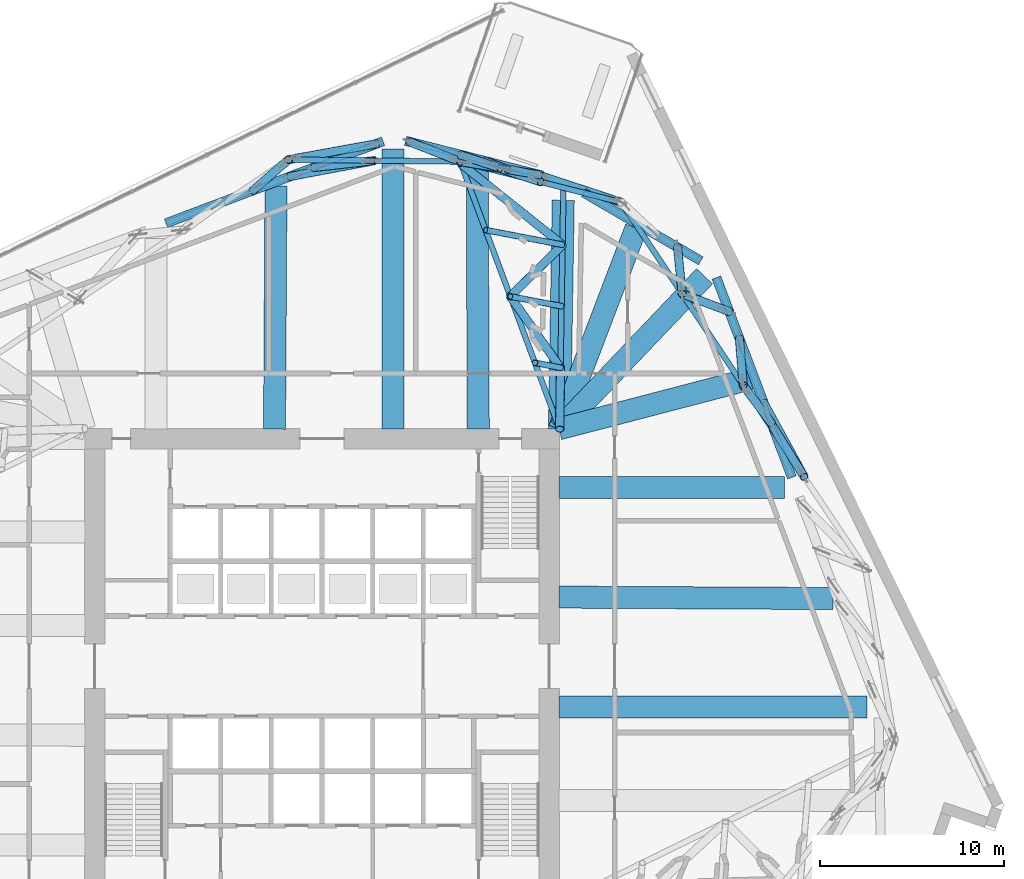
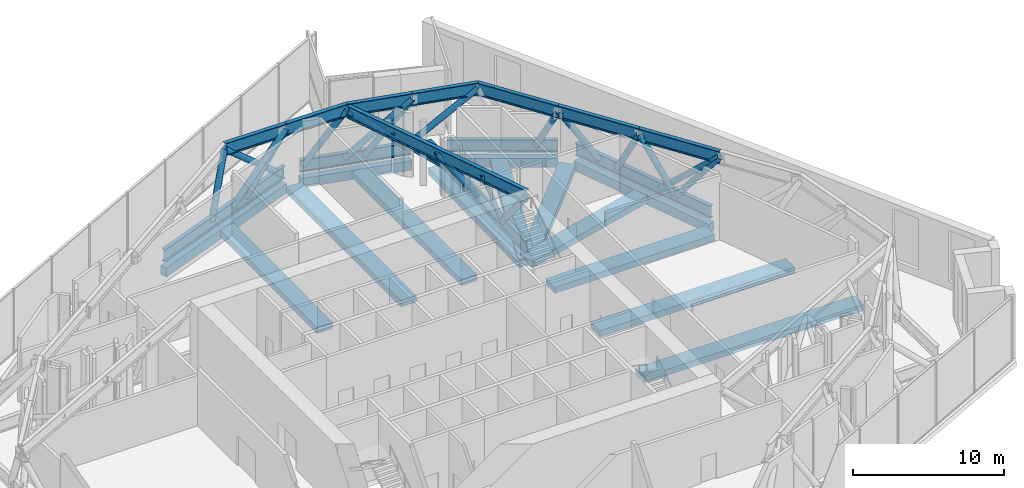
# One storey, part 5 of 21: 27 beams, 24 members.
"""IFC4 building model written with IfcOpenShell, lengths in metres."""

from ifc_helpers import new_model, si_unit, direction, frame, origin, origin_2d, place, context, subcontext, project, spatial, rectangle, hollow_circle, i_section, extrude, material, material_profile, profile_set, type_object, element, save


model = new_model("IFC4")

# Units and contexts
model_context = context("Model", 3, precision=1e-05, world=origin(), true_north=direction((0.0, 1.0)))
body_context = subcontext(model_context, "Body", "Model", "MODEL_VIEW")
ifc_project = project(units=[si_unit("LENGTHUNIT", "METRE"), si_unit("AREAUNIT", "SQUARE_METRE"), si_unit("VOLUMEUNIT", "CUBIC_METRE"), si_unit("PLANEANGLEUNIT", "RADIAN"), si_unit("MASSUNIT", "GRAM", prefix="KILO")], contexts=[model_context])

# Site, building, storey
site_placement = place(None, origin())
site = spatial("IfcSite", under=ifc_project, at=site_placement, CompositionType="ELEMENT")
building_placement = place(site_placement, origin())
building = spatial("IfcBuilding", under=site, at=building_placement, Name="Dilmun Exchange Tower", CompositionType="ELEMENT")
storey_placement = place(building_placement, frame((0.0, 0.0, 130.10009765625)))
storey = spatial("IfcBuildingStorey", under=building, at=storey_placement, Name="L30", CompositionType="ELEMENT", Elevation=130.10009765625)

# Beams
ifc_material_1 = material(Name="Concrete C40/50", Category="concrete")
ifc_material_profile_1 = material_profile(ifc_material_1, rectangle(XDim=1.199951171875, YDim=0.5, at=origin_2d()), Name="1200 x 500")
ifc_profile_set_1 = profile_set([ifc_material_profile_1], Name="Concrete C40/50")
beam_type_1 = type_object("IfcBeamType", Name="RC band beam 1200 x 500 C40/50", PredefinedType="BEAM", material=ifc_profile_set_1)
beam_1_placement = place(storey_placement, frame((13.104736328125, 25.305419921875, -0.77001953125), z_axis=(-0.016493249431, -0.99986397711, 0.0), x_axis=(0.99986397711, -0.016493249431, 0.0)))
element("IfcBeam", 1, at=beam_1_placement, inside=storey, type_object=beam_type_1, Name="Band beam 1", PredefinedType="BEAM", context=body_context, shape_type="SweptSolid", body=[
    extrude(rectangle(XDim=1.199951171875, YDim=0.5, at=origin_2d()), origin(), (0.0, 0.0, 1.0), 12.43408203125),
])
beam_2_placement = place(storey_placement, frame((3.85302734375, 28.099609375, -0.77001953125), z_axis=(0.0, -1.0, 0.0), x_axis=(1.0, 0.0, 0.0)))
element("IfcBeam", 2, at=beam_2_placement, inside=storey, type_object=beam_type_1, Name="Band beam 2", PredefinedType="BEAM", context=body_context, shape_type="SweptSolid", body=[
    extrude(rectangle(XDim=1.199951171875, YDim=0.5, at=origin_2d()), origin(), (0.0, 0.0, 1.0), 15.2265625),
])
beam_3_placement = place(storey_placement, frame((29.61669921875, -2.2099609375, -0.77001953125), z_axis=(-1.0, 0.0, 0.0), x_axis=(0.0, -1.0, 0.0)))
element("IfcBeam", 3, at=beam_3_placement, inside=storey, type_object=beam_type_1, Name="Band beam 14", PredefinedType="BEAM", context=body_context, shape_type="SweptSolid", body=[
    extrude(rectangle(XDim=1.199951171875, YDim=0.5, at=origin_2d()), origin(), (0.0, 0.0, 1.0), 16.74365234375),
])
beam_4_placement = place(storey_placement, frame((25.111572265625, 9.717041015625, -0.77001953125), z_axis=(-1.0, 0.0, 0.0), x_axis=(0.0, -1.0, 0.0)))
element("IfcBeam", 4, at=beam_4_placement, inside=storey, type_object=beam_type_1, Name="Band beam 15", PredefinedType="BEAM", context=body_context, shape_type="SweptSolid", body=[
    extrude(rectangle(XDim=1.199951171875, YDim=0.5, at=origin_2d()), origin(), (0.0, 0.0, 1.0), 12.238525390625),
])
beam_5_placement = place(storey_placement, frame((20.780517578125, 21.181884765625, -0.77001953125), z_axis=(-0.689333244672, -0.724444392476, 0.0), x_axis=(0.724444392476, -0.689333244672, 0.0)))
element("IfcBeam", 5, at=beam_5_placement, inside=storey, type_object=beam_type_1, Name="Band beam 16", PredefinedType="BEAM", context=body_context, shape_type="SweptSolid", body=[
    extrude(rectangle(XDim=1.199951171875, YDim=0.5, at=origin_2d()), origin(), (0.0, 0.0, 1.0), 11.459228515625),
])
beam_6_placement = place(storey_placement, frame((8.4326171875, 27.31787109375, -0.670166015625), z_axis=(0.003802832253, -0.999992769207, 0.0), x_axis=(0.999992769207, 0.003802832253, 0.0)))
element("IfcBeam", 6, at=beam_6_placement, inside=storey, type_object=beam_type_1, Name="Band beam 17", PredefinedType="BEAM", context=body_context, shape_type="SweptSolid", body=[
    extrude(rectangle(XDim=1.199951171875, YDim=0.5, at=origin_2d()), origin(), (0.0, 0.0, 1.0), 14.44482421875),
])
beam_7_placement = place(storey_placement, frame((-2.499755859375, 26.075927734375, -0.670166015625), z_axis=(-0.005972637047, -0.999982163644, 0.0), x_axis=(0.999982163644, -0.005972637047, 0.0)))
element("IfcBeam", 7, at=beam_7_placement, inside=storey, type_object=beam_type_1, Name="Band beam 18", PredefinedType="BEAM", context=body_context, shape_type="SweptSolid", body=[
    extrude(rectangle(XDim=1.199951171875, YDim=0.5, at=origin_2d()), origin(), (0.0, 0.0, 1.0), 13.203125),
])
beam_8_placement = place(storey_placement, frame((27.77001953125, 3.6748046875, -0.670166015625), z_axis=(-0.999986076233, 0.005277057861, 0.0), x_axis=(-0.005277057861, -0.999986076233, 0.0)))
element("IfcBeam", 8, at=beam_8_placement, inside=storey, type_object=beam_type_1, Name="Band beam 30", PredefinedType="BEAM", context=body_context, shape_type="SweptSolid", body=[
    extrude(rectangle(XDim=1.199951171875, YDim=0.5, at=origin_2d()), origin(), (0.0, 0.0, 1.0), 14.897216796875),
])
beam_9_placement = place(storey_placement, frame((23.264892578125, 15.602294921875, -0.670166015625), z_axis=(-0.967651305888, -0.252291399404, 0.0), x_axis=(0.252291399404, -0.967651305888, 0.0)))
element("IfcBeam", 9, at=beam_9_placement, inside=storey, type_object=beam_type_1, Name="Band beam 31", PredefinedType="BEAM", context=body_context, shape_type="SweptSolid", body=[
    extrude(rectangle(XDim=1.199951171875, YDim=0.5, at=origin_2d()), origin(), (0.0, 0.0, 1.0), 10.738525390625),
])
beam_10_placement = place(storey_placement, frame((17.059326171875, 23.806640625, -0.670166015625), z_axis=(-0.356325045493, -0.934362061491, 0.0), x_axis=(0.934362061491, -0.356325045493, 0.0)))
element("IfcBeam", 10, at=beam_10_placement, inside=storey, type_object=beam_type_1, Name="Band beam 32", PredefinedType="BEAM", context=body_context, shape_type="SweptSolid", body=[
    extrude(rectangle(XDim=1.199951171875, YDim=0.5, at=origin_2d()), origin(), (0.0, 0.0, 1.0), 11.699951171875),
])
ifc_material_profile_2 = material_profile(ifc_material_1, rectangle(XDim=0.5, YDim=0.75, at=origin_2d()), Name="500 x 750")
ifc_profile_set_2 = profile_set([ifc_material_profile_2], Name="Concrete C40/50")
beam_type_2 = type_object("IfcBeamType", Name="RC ring beam 500 x 750 C40/50", PredefinedType="SPANDREL", material=ifc_profile_set_2)
beam_11_placement = place(storey_placement, frame((11.965576171875, 26.6484375, -0.795166015625), z_axis=(-0.969078622485, 0.246752149825, 0.0), x_axis=(-0.246752149825, -0.969078622485, 0.0)))
element("IfcBeam", 11, at=beam_11_placement, inside=storey, type_object=beam_type_2, Name="Ring beam 1", PredefinedType="SPANDREL", context=body_context, shape_type="SweptSolid", body=[
    extrude(rectangle(XDim=0.5, YDim=0.75, at=origin_2d()), origin(), (0.0, 0.0, 1.0), 7.666015625),
])
beam_12_placement = place(storey_placement, frame((3.31689453125, 28.511474609375, -0.795166015625), z_axis=(-0.935485896268, -0.353364030264, 0.0), x_axis=(0.353364030264, -0.935485896268, 0.0)))
element("IfcBeam", 12, at=beam_12_placement, inside=storey, type_object=beam_type_2, Name="Ring beam 2", PredefinedType="SPANDREL", context=body_context, shape_type="SweptSolid", body=[
    extrude(rectangle(XDim=0.5, YDim=0.75, at=origin_2d()), origin(), (0.0, 0.0, 1.0), 12.604248046875),
])
beam_13_placement = place(storey_placement, frame((25.5234375, 10.2529296875, -0.795166015625), z_axis=(-0.353303601311, 0.935508720056, 0.0), x_axis=(-0.935508720056, -0.353303601311, 0.0)))
element("IfcBeam", 13, at=beam_13_placement, inside=storey, type_object=beam_type_2, Name="Ring beam 15", PredefinedType="SPANDREL", context=body_context, shape_type="SweptSolid", body=[
    extrude(rectangle(XDim=0.5, YDim=0.75, at=origin_2d()), origin(), (0.0, 0.0, 1.0), 11.604248046875),
])
beam_14_placement = place(storey_placement, frame((20.57568359375, 22.020263671875, -0.795166015625), z_axis=(-0.864503499359, 0.50262679952, 0.0), x_axis=(-0.50262679952, -0.864503499359, 0.0)))
element("IfcBeam", 14, at=beam_14_placement, inside=storey, type_object=beam_type_2, Name="Ring beam 16", PredefinedType="SPANDREL", context=body_context, shape_type="SweptSolid", body=[
    extrude(rectangle(XDim=0.5, YDim=0.75, at=origin_2d()), origin(), (0.0, 0.0, 1.0), 7.35986328125),
])
ifc_material_2 = material(Name="Steel S355", Category="steel")
ifc_material_profile_3 = material_profile(ifc_material_2, i_section(OverallWidth=0.300048828125, OverallDepth=1.0, WebThickness=0.01904296875, FlangeThickness=0.035888671875, FilletRadius=0.030029296875, at=origin_2d()), Name="HEB 1000")
ifc_profile_set_3 = profile_set([ifc_material_profile_3], Name="Steel S355")
beam_type_3 = type_object("IfcBeamType", Name="belt bottom chord HEB 1000", PredefinedType="BEAM", material=ifc_profile_set_3)
beam_15_placement = place(storey_placement, frame((11.965576171875, 26.6484375, 0.5), z_axis=(-0.969078622485, 0.246752149825, 0.0), x_axis=(-0.246752149825, -0.969078622485, 0.0)))
element("IfcBeam", 15, at=beam_15_placement, inside=storey, type_object=beam_type_3, Name="Belt bottom chord 1", PredefinedType="BEAM", context=body_context, shape_type="SweptSolid", body=[
    extrude(i_section(OverallWidth=0.300048828125, OverallDepth=1.0, WebThickness=0.01904296875, FlangeThickness=0.035888671875, FilletRadius=0.030029296875, at=origin_2d()), origin(), (0.0, 0.0, 1.0), 7.666015625),
])
beam_16_placement = place(storey_placement, frame((3.31689453125, 28.511474609375, 0.5), z_axis=(-0.935485896268, -0.353364030264, 0.0), x_axis=(0.353364030264, -0.935485896268, 0.0)))
element("IfcBeam", 16, at=beam_16_placement, inside=storey, type_object=beam_type_3, Name="Belt bottom chord 2", PredefinedType="BEAM", context=body_context, shape_type="SweptSolid", body=[
    extrude(i_section(OverallWidth=0.300048828125, OverallDepth=1.0, WebThickness=0.01904296875, FlangeThickness=0.035888671875, FilletRadius=0.030029296875, at=origin_2d()), origin(), (0.0, 0.0, 1.0), 12.604248046875),
])
beam_17_placement = place(storey_placement, frame((25.5234375, 10.2529296875, 0.5), z_axis=(-0.353303601311, 0.935508720056, 0.0), x_axis=(-0.935508720056, -0.353303601311, 0.0)))
element("IfcBeam", 17, at=beam_17_placement, inside=storey, type_object=beam_type_3, Name="Belt bottom chord 15", PredefinedType="BEAM", context=body_context, shape_type="SweptSolid", body=[
    extrude(i_section(OverallWidth=0.300048828125, OverallDepth=1.0, WebThickness=0.01904296875, FlangeThickness=0.035888671875, FilletRadius=0.030029296875, at=origin_2d()), origin(), (0.0, 0.0, 1.0), 11.604248046875),
])
beam_18_placement = place(storey_placement, frame((20.57568359375, 22.020263671875, 0.5), z_axis=(-0.864503499359, 0.50262679952, 0.0), x_axis=(-0.50262679952, -0.864503499359, 0.0)))
element("IfcBeam", 18, at=beam_18_placement, inside=storey, type_object=beam_type_3, Name="Belt bottom chord 16", PredefinedType="BEAM", context=body_context, shape_type="SweptSolid", body=[
    extrude(i_section(OverallWidth=0.300048828125, OverallDepth=1.0, WebThickness=0.01904296875, FlangeThickness=0.035888671875, FilletRadius=0.030029296875, at=origin_2d()), origin(), (0.0, 0.0, 1.0), 7.35986328125),
])
ifc_material_profile_4 = material_profile(ifc_material_2, i_section(OverallWidth=0.300048828125, OverallDepth=1.0, WebThickness=0.01904296875, FlangeThickness=0.035888671875, FilletRadius=0.030029296875, at=origin_2d()), Name="HEB 1000")
ifc_profile_set_4 = profile_set([ifc_material_profile_4], Name="Steel S355")
beam_type_4 = type_object("IfcBeamType", Name="outrigger chord HEB 1000", PredefinedType="BEAM", material=ifc_profile_set_4)
beam_19_placement = place(storey_placement, frame((12.899658203125, 12.873046875, 0.5), z_axis=(0.016501755393, 0.999863836764, 0.0), x_axis=(-0.999863836764, 0.016501755393, 0.0)))
element("IfcBeam", 19, at=beam_19_placement, inside=storey, type_object=beam_type_4, Name="Outrigger bottom chord 1", PredefinedType="BEAM", context=body_context, shape_type="SweptSolid", body=[
    extrude(i_section(OverallWidth=0.300048828125, OverallDepth=1.0, WebThickness=0.01904296875, FlangeThickness=0.035888671875, FilletRadius=0.030029296875, at=origin_2d()), origin(), (0.0, 0.0, 1.0), 13.359619140625),
])
beam_20_placement = place(storey_placement, frame((12.909423828125, 12.874755859375, 4.599853515625), z_axis=(-0.348443534762, 0.937329772856, 0.0), x_axis=(-0.937329772856, -0.348443534762, 0.0)))
element("IfcBeam", 20, at=beam_20_placement, inside=storey, type_object=beam_type_4, Name="Outrigger top chord 1", PredefinedType="BEAM", context=body_context, shape_type="SweptSolid", body=[
    extrude(i_section(OverallWidth=0.300048828125, OverallDepth=1.0, WebThickness=0.01904296875, FlangeThickness=0.035888671875, FilletRadius=0.030029296875, at=origin_2d()), origin(), (0.0, 0.0, 1.0), 15.383056640625),
])

# Members
ifc_material_profile_5 = material_profile(ifc_material_2, hollow_circle(Radius=0.161865234375, WallThickness=0.01611328125, at=origin_2d()), Name="CHS 323.9x16")
ifc_profile_set_5 = profile_set([ifc_material_profile_5], Name="Steel S355")
member_type_1 = type_object("IfcMemberType", Name="outrigger post CHS 323.9x16", PredefinedType="POST", material=ifc_profile_set_5)
member_1_placement = place(storey_placement, frame((11.5693359375, 16.4794921875, 4.599853515625), z_axis=(0.319492941463, -0.061601212189, -0.945584237925), x_axis=(0.189322347498, 0.981914990586, 0.0)))
element("IfcMember", 21, at=member_1_placement, inside=storey, type_object=member_type_1, Name="Outrigger post 1.1", PredefinedType="POST", context=body_context, shape_type="SweptSolid", body=[
    extrude(hollow_circle(Radius=0.161865234375, WallThickness=0.01611328125, at=origin_2d()), origin(), (0.0, 0.0, 1.0), 4.335693359375),
])
member_2_placement = place(storey_placement, frame((10.229248046875, 20.084228515625, 4.599853515625), z_axis=(0.558078793351, -0.106823405874, -0.82288323617), x_axis=(0.187999701983, 0.982169085267, 0.0)))
element("IfcMember", 22, at=member_2_placement, inside=storey, type_object=member_type_1, Name="Outrigger post 1.2", PredefinedType="POST", context=body_context, shape_type="SweptSolid", body=[
    extrude(hollow_circle(Radius=0.161865234375, WallThickness=0.01611328125, at=origin_2d()), origin(), (0.0, 0.0, 1.0), 4.982421875),
])
member_3_placement = place(storey_placement, frame((8.889404296875, 23.68896484375, 4.599853515625), z_axis=(0.707010713329, -0.1350112255, -0.694195808275), x_axis=(0.187571288128, 0.982250992298, 0.0)))
element("IfcMember", 23, at=member_3_placement, inside=storey, type_object=member_type_1, Name="Outrigger post 1.3", PredefinedType="POST", context=body_context, shape_type="SweptSolid", body=[
    extrude(hollow_circle(Radius=0.161865234375, WallThickness=0.01611328125, at=origin_2d()), origin(), (0.0, 0.0, 1.0), 5.906005859375),
])

# Beams
ifc_material_profile_6 = material_profile(ifc_material_2, i_section(OverallWidth=0.302001953125, OverallDepth=1.008056640625, WebThickness=0.02099609375, FlangeThickness=0.0400390625, FilletRadius=0.030029296875, at=origin_2d()), Name="HEM 1000")
ifc_profile_set_6 = profile_set([ifc_material_profile_6], Name="Steel S355")
beam_type_5 = type_object("IfcBeamType", Name="transfer chord HEM 1000", PredefinedType="BEAM", material=ifc_profile_set_6)
for number, where, z_axis, x_axis, name in (
    (24, (7.506103515625, 27.409912109375, 4.69580078125), (-0.999938960588, 0.011048759986, 0.0), (-0.011048759986, -0.999938960588, 0.0), "Transfer chord 1"),
    (25, (2.843994140625, 27.46142578125, 4.69580078125), (-0.999938960588, 0.011048759986, 0.0), (-0.011048759986, -0.999938960588, 0.0), "Transfer chord 2"),
):
    element("IfcBeam", number, at=place(storey_placement, frame(where, z_axis=z_axis, x_axis=x_axis)), inside=storey, type_object=beam_type_5, Name=name, PredefinedType="BEAM", context=body_context, shape_type="SweptSolid", body=[
        extrude(i_section(OverallWidth=0.302001953125, OverallDepth=1.008056640625, WebThickness=0.02099609375, FlangeThickness=0.0400390625, FilletRadius=0.030029296875, at=origin_2d()), origin(), (0.0, 0.0, 1.0), 4.662353515625),
    ])
beam_21_placement = place(storey_placement, frame((26.195556640625, 10.283447265625, 4.69580078125), z_axis=(-0.55471905467, 0.832037721733, 0.0), x_axis=(-0.832037721733, -0.55471905467, 0.0)))
element("IfcBeam", 26, at=beam_21_placement, inside=storey, type_object=beam_type_5, Name="Transfer chord 28", PredefinedType="BEAM", context=body_context, shape_type="SweptSolid", body=[
    extrude(i_section(OverallWidth=0.302001953125, OverallDepth=1.008056640625, WebThickness=0.02099609375, FlangeThickness=0.0400390625, FilletRadius=0.030029296875, at=origin_2d()), origin(), (0.0, 0.0, 1.0), 5.97509765625),
])
beam_22_placement = place(storey_placement, frame((22.881103515625, 15.2548828125, 4.69580078125), z_axis=(-0.554728482183, 0.832031436338, 0.0), x_axis=(-0.832031436338, -0.554728482183, 0.0)))
element("IfcBeam", 27, at=beam_22_placement, inside=storey, type_object=beam_type_5, Name="Transfer chord 29", PredefinedType="BEAM", context=body_context, shape_type="SweptSolid", body=[
    extrude(i_section(OverallWidth=0.302001953125, OverallDepth=1.008056640625, WebThickness=0.02099609375, FlangeThickness=0.0400390625, FilletRadius=0.030029296875, at=origin_2d()), origin(), (0.0, 0.0, 1.0), 5.975341796875),
])
beam_23_placement = place(storey_placement, frame((19.56640625, 20.2265625, 4.69580078125), z_axis=(-0.55471905467, 0.832037721733, 0.0), x_axis=(-0.832037721733, -0.55471905467, 0.0)))
element("IfcBeam", 28, at=beam_23_placement, inside=storey, type_object=beam_type_5, Name="Transfer chord 30", PredefinedType="BEAM", context=body_context, shape_type="SweptSolid", body=[
    extrude(i_section(OverallWidth=0.302001953125, OverallDepth=1.008056640625, WebThickness=0.02099609375, FlangeThickness=0.0400390625, FilletRadius=0.030029296875, at=origin_2d()), origin(), (0.0, 0.0, 1.0), 5.97509765625),
])
beam_24_placement = place(storey_placement, frame((16.251953125, 25.197998046875, 4.69580078125), z_axis=(-0.969476655566, 0.245183633861, 0.0), x_axis=(-0.245183633861, -0.969476655566, 0.0)))
element("IfcBeam", 29, at=beam_24_placement, inside=storey, type_object=beam_type_5, Name="Transfer chord 31", PredefinedType="BEAM", context=body_context, shape_type="SweptSolid", body=[
    extrude(i_section(OverallWidth=0.302001953125, OverallDepth=1.008056640625, WebThickness=0.02099609375, FlangeThickness=0.0400390625, FilletRadius=0.030029296875, at=origin_2d()), origin(), (0.0, 0.0, 1.0), 4.5107421875),
])
beam_25_placement = place(storey_placement, frame((11.87890625, 26.303955078125, 4.69580078125), z_axis=(-0.969473401619, 0.245196499879, 0.0), x_axis=(-0.245196499879, -0.969473401619, 0.0)))
element("IfcBeam", 30, at=beam_25_placement, inside=storey, type_object=beam_type_5, Name="Transfer chord 32", PredefinedType="BEAM", context=body_context, shape_type="SweptSolid", body=[
    extrude(i_section(OverallWidth=0.302001953125, OverallDepth=1.008056640625, WebThickness=0.02099609375, FlangeThickness=0.0400390625, FilletRadius=0.030029296875, at=origin_2d()), origin(), (0.0, 0.0, 1.0), 4.510498046875),
])

# Members
ifc_material_profile_7 = material_profile(ifc_material_2, hollow_circle(Radius=0.228515625, WallThickness=0.02490234375, at=origin_2d()), Name="CHS 457x25")
ifc_profile_set_7 = profile_set([ifc_material_profile_7], Name="Steel S355")
member_type_2 = type_object("IfcMemberType", Name="truss diagonal CHS 457x25", PredefinedType="BRACE", material=ifc_profile_set_7)
member_4_placement = place(storey_placement, frame((7.506103515625, 27.409912109375, 4.69580078125), z_axis=(-0.533671312039, 0.20890046623, -0.819484915002), x_axis=(-0.364509145765, -0.931199808126, 0.0)))
element("IfcMember", 31, at=member_4_placement, inside=storey, type_object=member_type_2, Name="Truss diagonal 1", PredefinedType="BRACE", context=body_context, shape_type="SweptSolid", body=[
    extrude(hollow_circle(Radius=0.228515625, WallThickness=0.02490234375, at=origin_2d()), origin(), (0.0, 0.0, 1.0), 5.1201171875),
])
member_5_placement = place(storey_placement, frame((7.506103515625, 27.409912109375, 4.69580078125), z_axis=(0.711402872628, -0.118589643948, -0.692706611175), x_axis=(0.164429339211, 0.986388864701, 0.0)))
element("IfcMember", 32, at=member_5_placement, inside=storey, type_object=member_type_2, Name="Truss diagonal 2", PredefinedType="BRACE", context=body_context, shape_type="SweptSolid", body=[
    extrude(hollow_circle(Radius=0.228515625, WallThickness=0.02490234375, at=origin_2d()), origin(), (0.0, 0.0, 1.0), 3.6171875),
])
member_6_placement = place(storey_placement, frame((10.079345703125, 26.98095703125, 2.190185546875), z_axis=(0.71095347588, -0.120493804189, -0.692839374088), x_axis=(0.167099083594, 0.985940107847, 0.0)))
element("IfcMember", 33, at=member_6_placement, inside=storey, type_object=member_type_2, Name="Truss diagonal 2B", PredefinedType="BRACE", context=body_context, shape_type="SweptSolid", body=[
    extrude(hollow_circle(Radius=0.228515625, WallThickness=0.02490234375, at=origin_2d()), origin(), (0.0, 0.0, 1.0), 2.439453125),
])
member_7_placement = place(storey_placement, frame((2.843994140625, 27.46142578125, 4.69580078125), z_axis=(-0.614588606202, -0.068953174477, -0.785828419476), x_axis=(0.111494508987, -0.993765049932, 0.0)))
element("IfcMember", 34, at=member_7_placement, inside=storey, type_object=member_type_2, Name="Truss diagonal 3", PredefinedType="BRACE", context=body_context, shape_type="SweptSolid", body=[
    extrude(hollow_circle(Radius=0.228515625, WallThickness=0.02490234375, at=origin_2d()), origin(), (0.0, 0.0, 1.0), 5.33935546875),
])
member_8_placement = place(storey_placement, frame((2.843994140625, 27.46142578125, 4.69580078125), z_axis=(-0.731180822757, -0.137441465939, -0.668194917575), x_axis=(0.184736565302, -0.982788075549, 0.0)))
element("IfcMember", 35, at=member_8_placement, inside=storey, type_object=member_type_2, Name="Truss diagonal 4", PredefinedType="BRACE", context=body_context, shape_type="SweptSolid", body=[
    extrude(hollow_circle(Radius=0.228515625, WallThickness=0.02490234375, at=origin_2d()), origin(), (0.0, 0.0, 1.0), 6.279296875),
])
member_9_placement = place(storey_placement, frame((-1.818115234375, 27.512939453125, 4.69580078125), z_axis=(0.744847989098, 0.13479432954, -0.653476825802), x_axis=(-0.178076423509, 0.984016660118, 0.0)))
element("IfcMember", 36, at=member_9_placement, inside=storey, type_object=member_type_2, Name="Truss diagonal 5", PredefinedType="BRACE", context=body_context, shape_type="SweptSolid", body=[
    extrude(hollow_circle(Radius=0.228515625, WallThickness=0.02490234375, at=origin_2d()), origin(), (0.0, 0.0, 1.0), 6.420654296875),
])
member_10_placement = place(storey_placement, frame((-1.818115234375, 27.512939453125, 4.69580078125), z_axis=(-0.393606281801, -0.340237622963, -0.853997924381), x_axis=(0.653955503164, -0.756533013081, 0.0)))
element("IfcMember", 37, at=member_10_placement, inside=storey, type_object=member_type_2, Name="Truss diagonal 6", PredefinedType="BRACE", context=body_context, shape_type="SweptSolid", body=[
    extrude(hollow_circle(Radius=0.228515625, WallThickness=0.02490234375, at=origin_2d()), origin(), (0.0, 0.0, 1.0), 4.9130859375),
])
member_11_placement = place(storey_placement, frame((26.195556640625, 10.283447265625, 4.69580078125), z_axis=(-0.325231932937, 0.520710976374, -0.789356870421), x_axis=(-0.84815377745, -0.529750101272, 0.0)))
element("IfcMember", 38, at=member_11_placement, inside=storey, type_object=member_type_2, Name="Truss diagonal 55", PredefinedType="BRACE", context=body_context, shape_type="SweptSolid", body=[
    extrude(hollow_circle(Radius=0.228515625, WallThickness=0.02490234375, at=origin_2d()), origin(), (0.0, 0.0, 1.0), 5.3154296875),
])
member_12_placement = place(storey_placement, frame((26.195556640625, 10.283447265625, 4.69580078125), z_axis=(-0.354499154556, 0.647789821995, -0.674313499746), x_axis=(-0.877234800285, -0.480061563936, 0.0)))
element("IfcMember", 39, at=member_12_placement, inside=storey, type_object=member_type_2, Name="Truss diagonal 56", PredefinedType="BRACE", context=body_context, shape_type="SweptSolid", body=[
    extrude(hollow_circle(Radius=0.228515625, WallThickness=0.02490234375, at=origin_2d()), origin(), (0.0, 0.0, 1.0), 6.222412109375),
])
for number, where, z_axis, x_axis, name in (
    (40, (22.881103515625, 15.2548828125, 4.69580078125), (-0.042019572225, 0.51756178428, -0.854613453558), (-0.996720494589, -0.080921293037, 0.0), "Truss diagonal 57"),
    (41, (22.881103515625, 15.2548828125, 4.69580078125), (0.310598490267, -0.416120423719, -0.854618260282), (0.80137692945, 0.598159691843, 0.0), "Truss diagonal 58"),
):
    element("IfcMember", number, at=place(storey_placement, frame(where, z_axis=z_axis, x_axis=x_axis)), inside=storey, type_object=member_type_2, Name=name, PredefinedType="BRACE", context=body_context, shape_type="SweptSolid", body=[
        extrude(hollow_circle(Radius=0.228515625, WallThickness=0.02490234375, at=origin_2d()), origin(), (0.0, 0.0, 1.0), 4.90966796875),
    ])
member_13_placement = place(storey_placement, frame((19.56640625, 20.2265625, 4.69580078125), z_axis=(-0.051763321366, 0.515393454561, -0.85538888557), x_axis=(-0.994994286495, -0.099931825973, 0.0)))
element("IfcMember", 42, at=member_13_placement, inside=storey, type_object=member_type_2, Name="Truss diagonal 59", PredefinedType="BRACE", context=body_context, shape_type="SweptSolid", body=[
    extrude(hollow_circle(Radius=0.228515625, WallThickness=0.02490234375, at=origin_2d()), origin(), (0.0, 0.0, 1.0), 4.905029296875),
])
member_14_placement = place(storey_placement, frame((19.56640625, 20.2265625, 4.69580078125), z_axis=(0.510147291987, -0.191823577708, -0.838423195954), x_axis=(0.351957103113, 0.936016131041, 0.0)))
element("IfcMember", 43, at=member_14_placement, inside=storey, type_object=member_type_2, Name="Truss diagonal 60", PredefinedType="BRACE", context=body_context, shape_type="SweptSolid", body=[
    extrude(hollow_circle(Radius=0.228515625, WallThickness=0.02490234375, at=origin_2d()), origin(), (0.0, 0.0, 1.0), 5.00439453125),
])
member_15_placement = place(storey_placement, frame((16.251953125, 25.197998046875, 4.69580078125), z_axis=(-0.732427088126, 0.240879048161, -0.636810682021), x_axis=(-0.312416000064, -0.949945389432, 0.0)))
element("IfcMember", 44, at=member_15_placement, inside=storey, type_object=member_type_2, Name="Truss diagonal 61", PredefinedType="BRACE", context=body_context, shape_type="SweptSolid", body=[
    extrude(hollow_circle(Radius=0.228515625, WallThickness=0.02490234375, at=origin_2d()), origin(), (0.0, 0.0, 1.0), 6.309326171875),
])
member_16_placement = place(storey_placement, frame((11.87890625, 26.303955078125, 4.69580078125), z_axis=(-0.569779773968, 0.214377158738, -0.793343206304), x_axis=(-0.352145352622, -0.935945324593, 0.0)))
element("IfcMember", 45, at=member_16_placement, inside=storey, type_object=member_type_2, Name="Truss diagonal 63", PredefinedType="BRACE", context=body_context, shape_type="SweptSolid", body=[
    extrude(hollow_circle(Radius=0.228515625, WallThickness=0.02490234375, at=origin_2d()), origin(), (0.0, 0.0, 1.0), 5.288818359375),
])
member_17_placement = place(storey_placement, frame((11.87890625, 26.303955078125, 4.69580078125), z_axis=(-0.701026908464, 0.236162373885, -0.672895687882), x_axis=(-0.319251642365, -0.947669978868, 0.0)))
element("IfcMember", 46, at=member_17_placement, inside=storey, type_object=member_type_2, Name="Truss diagonal 64", PredefinedType="BRACE", context=body_context, shape_type="SweptSolid", body=[
    extrude(hollow_circle(Radius=0.228515625, WallThickness=0.02490234375, at=origin_2d()), origin(), (0.0, 0.0, 1.0), 3.1416015625),
])
member_18_placement = place(storey_placement, frame((9.676513671875, 27.0458984375, 2.581787109375), z_axis=(-0.700488523794, 0.238256035799, -0.672718283859), x_axis=(-0.322011689588, -0.946735692666, 0.0)))
element("IfcMember", 47, at=member_18_placement, inside=storey, type_object=member_type_2, Name="Truss diagonal 64B", PredefinedType="BRACE", context=body_context, shape_type="SweptSolid", body=[
    extrude(hollow_circle(Radius=0.228515625, WallThickness=0.02490234375, at=origin_2d()), origin(), (0.0, 0.0, 1.0), 3.094482421875),
])
member_19_placement = place(storey_placement, frame((12.909423828125, 12.874755859375, 4.599853515625), z_axis=(0.008543095443, 0.631311663783, -0.775482171743), x_axis=(-0.999908451074, 0.013531055771, 0.0)))
element("IfcMember", 48, at=member_19_placement, inside=storey, type_object=member_type_2, Name="Outrigger diagonal 1.0", PredefinedType="BRACE", context=body_context, shape_type="SweptSolid", body=[
    extrude(hollow_circle(Radius=0.228515625, WallThickness=0.02490234375, at=origin_2d()), origin(), (0.0, 0.0, 1.0), 5.286865234375),
])
member_20_placement = place(storey_placement, frame((10.229248046875, 20.084228515625, 4.599853515625), z_axis=(0.435137619799, -0.618189331936, -0.654596976556), x_axis=(0.817734508824, 0.575595581184, 0.0)))
element("IfcMember", 49, at=member_20_placement, inside=storey, type_object=member_type_2, Name="Outrigger diagonal 1.1", PredefinedType="BRACE", context=body_context, shape_type="SweptSolid", body=[
    extrude(hollow_circle(Radius=0.228515625, WallThickness=0.02490234375, at=origin_2d()), origin(), (0.0, 0.0, 1.0), 6.26318359375),
])
member_21_placement = place(storey_placement, frame((10.229248046875, 20.084228515625, 4.599853515625), z_axis=(0.495652892316, 0.49070276442, -0.716616359937), x_axis=(-0.703549232786, 0.710646520463, 0.0)))
element("IfcMember", 50, at=member_21_placement, inside=storey, type_object=member_type_2, Name="Outrigger diagonal 1.2", PredefinedType="BRACE", context=body_context, shape_type="SweptSolid", body=[
    extrude(hollow_circle(Radius=0.228515625, WallThickness=0.02490234375, at=origin_2d()), origin(), (0.0, 0.0, 1.0), 5.72119140625),
])
member_22_placement = place(storey_placement, frame((7.54931640625, 27.293701171875, 4.599853515625), z_axis=(0.675813672728, -0.539376608222, -0.502343263373), x_axis=(0.62379598815, 0.781587208933, 0.0)))
element("IfcMember", 51, at=member_22_placement, inside=storey, type_object=member_type_2, Name="Outrigger diagonal 1.3", PredefinedType="BRACE", context=body_context, shape_type="SweptSolid", body=[
    extrude(hollow_circle(Radius=0.228515625, WallThickness=0.02490234375, at=origin_2d()), origin(), (0.0, 0.0, 1.0), 8.161376953125),
])

save(model, "model.ifc")
